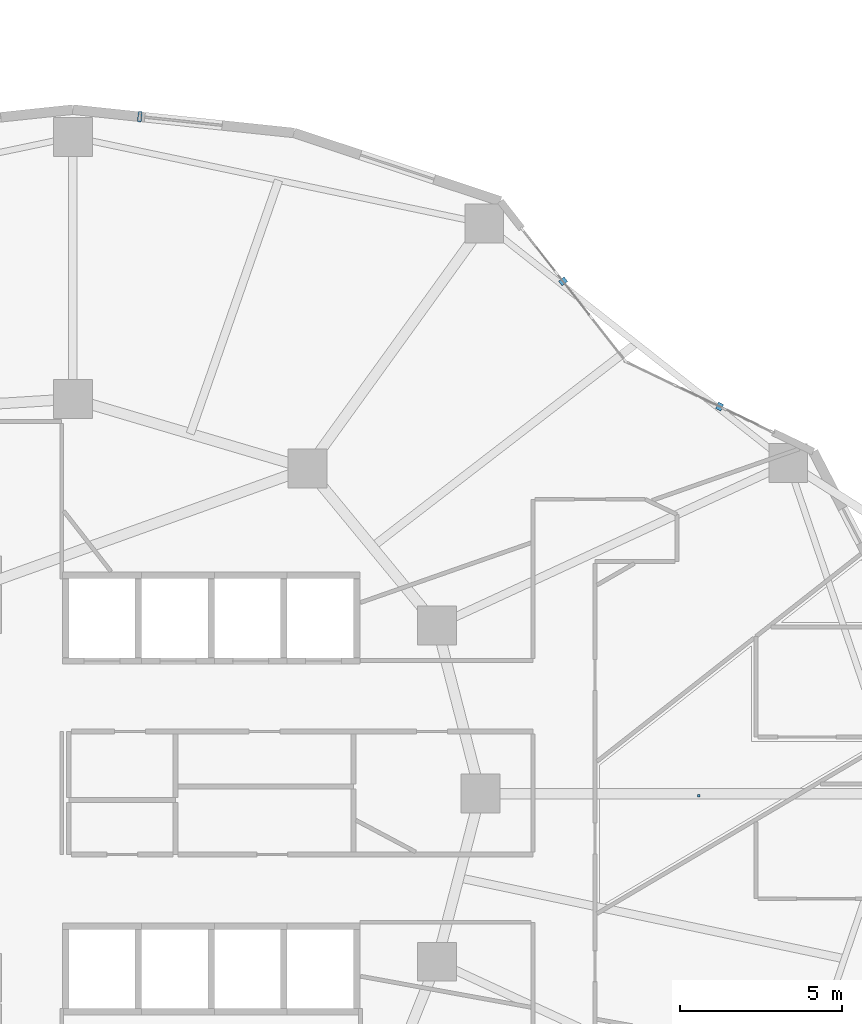
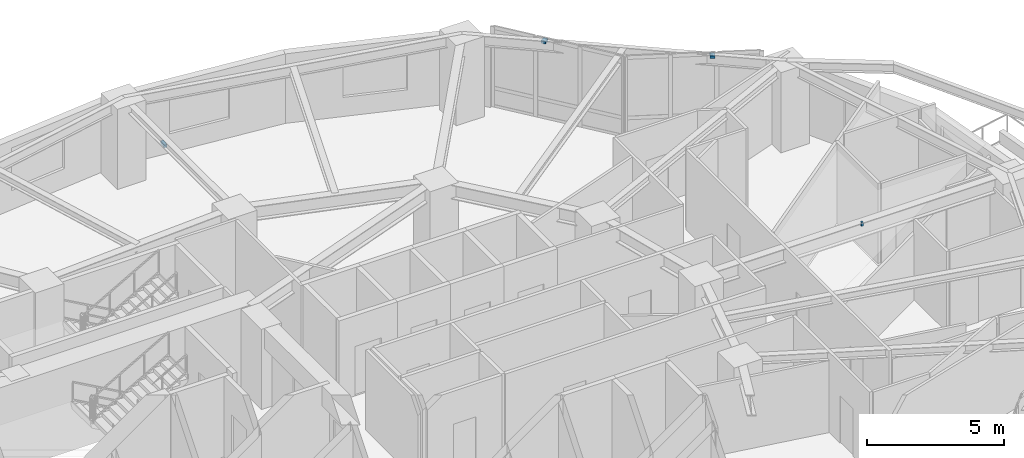
# One storey, part 16 of 19: 4 discrete accessories.
"""IFC4 building model written with IfcOpenShell, lengths in metres."""

from ifc_helpers import new_model, si_unit, direction, frame, origin, origin_2d, place, context, subcontext, project, spatial, rectangle, extrude, material, type_object, element, save


model = new_model("IFC4")

# Units and contexts
model_context = context("Model", 3, precision=1e-05, world=origin(), true_north=direction((0.0, 1.0)))
body_context = subcontext(model_context, "Body", "Model", "MODEL_VIEW")
ifc_project = project(units=[si_unit("LENGTHUNIT", "METRE"), si_unit("AREAUNIT", "SQUARE_METRE"), si_unit("VOLUMEUNIT", "CUBIC_METRE"), si_unit("PLANEANGLEUNIT", "RADIAN"), si_unit("MASSUNIT", "GRAM", prefix="KILO")], contexts=[model_context])

# Site, building, storey
site_placement = place(None, origin())
site = spatial("IfcSite", under=ifc_project, at=site_placement, CompositionType="ELEMENT")
building_placement = place(site_placement, origin())
building = spatial("IfcBuilding", under=site, at=building_placement, Name="Kolvaren Gate Tower and Convention Centre", CompositionType="ELEMENT")
storey_placement = place(building_placement, frame((0.0, 0.0, 68.85009765625)))
storey = spatial("IfcBuildingStorey", under=building, at=storey_placement, Name="L16", CompositionType="ELEMENT", Elevation=68.85009765625)

# Discrete accessories
ifc_material_1 = material(Name="Anodized Architectural Aluminium Alloy 6063-T6", Category="aluminium")
discrete_accessory_type_1 = type_object("IfcDiscreteAccessoryType", Name="ARCH-ACC-BRACKET-120", PredefinedType="BRACKET", material=ifc_material_1)
for number, where, z_axis, x_axis, name in (
    (1, (50.122314453125, 38.967529296875, 3.389892578125), (0.0, 0.0, 1.0), (0.901357634097, -0.433075530889, 0.0), "Solar Screen Spandrel Anchor Bracket BK-L16-02"),
    (2, (45.283935546875, 42.83837890625, 3.389892578125), (0.0, 0.0, 1.0), (0.616431370541, -0.787408639407, 0.0), "Solar Screen Spandrel Anchor Bracket BK-L16-03"),
):
    element("IfcDiscreteAccessory", number, at=place(storey_placement, frame(where, z_axis=z_axis, x_axis=x_axis)), inside=storey, type_object=discrete_accessory_type_1, Name=name, PredefinedType="BRACKET", context=body_context, shape_type="SweptSolid", body=[
        extrude(rectangle(XDim=0.179931640625, YDim=0.219970703125, at=origin_2d()), origin(), (0.0, 0.0, 1.0), 0.1201171875),
    ])
discrete_accessory_1_placement = place(storey_placement, frame((32.193603515625, 47.93212890625, 0.289794921875), z_axis=(0.0, 0.0, 1.0), x_axis=(0.994498884311, -0.104747167526, 0.0)))
element("IfcDiscreteAccessory", 3, at=discrete_accessory_1_placement, inside=storey, type_object=discrete_accessory_type_1, Name="Ceramic Fin Wall Anchor Bracket FBK-L16-05", PredefinedType="BRACKET", context=body_context, shape_type="SweptSolid", body=[
    extrude(rectangle(XDim=0.1201171875, YDim=0.320068359375, at=origin_2d()), origin(), (0.0, 0.0, 1.0), 0.1201171875),
])
ifc_material_2 = material(Name="Brushed Stainless Steel Grade 316L", Category="steel")
discrete_accessory_type_2 = type_object("IfcDiscreteAccessoryType", Name="ARCH-ACC-HANGER-80", PredefinedType="BRACKET", material=ifc_material_2)
discrete_accessory_2_placement = place(storey_placement, frame((49.47412109375, 26.93408203125, 3.39013671875), z_axis=(0.0, 0.0, 1.0), x_axis=(1.0, 0.0, 0.0)))
element("IfcDiscreteAccessory", 4, at=discrete_accessory_2_placement, inside=storey, type_object=discrete_accessory_type_2, Name="Legal Chambers Cellular Office Ceiling Suspension Hanger Clip 1", PredefinedType="BRACKET", context=body_context, shape_type="SweptSolid", body=[
    extrude(rectangle(XDim=0.080078125, YDim=0.080078125, at=origin_2d()), origin(), (0.0, 0.0, 1.0), 0.179931640625),
])

save(model, "model.ifc")
